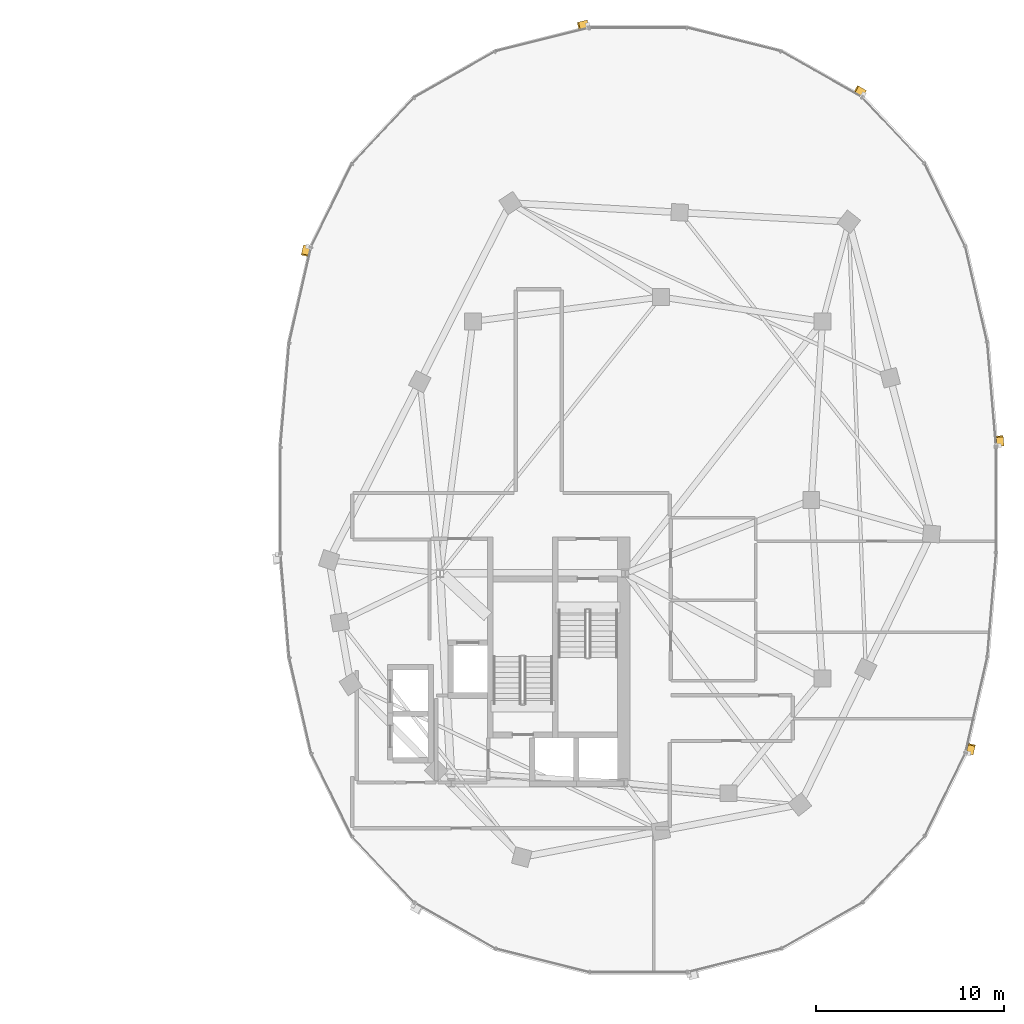
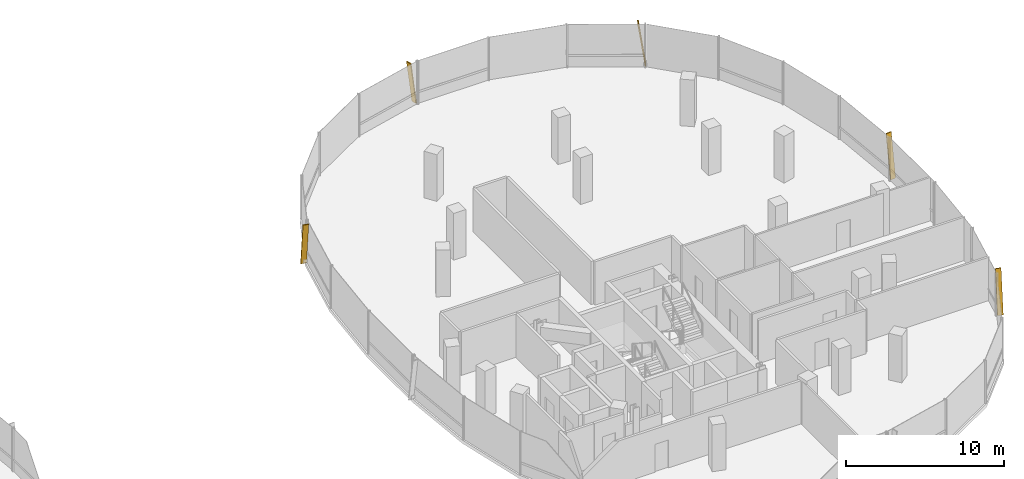
# One storey, part 25 of 25: 5 shading devices.
"""IFC4 building model written with IfcOpenShell, lengths in metres."""

from ifc_helpers import new_model, si_unit, direction, frame, origin, origin_2d, place, context, subcontext, project, spatial, rectangle, extrude, material, material_profile, profile_set, type_object, element, save


model = new_model("IFC4")

# Units and contexts
model_context = context("Model", 3, precision=1e-05, world=origin(), true_north=direction((0.0, 1.0)))
body_context = subcontext(model_context, "Body", "Model", "MODEL_VIEW")
ifc_project = project(units=[si_unit("LENGTHUNIT", "METRE"), si_unit("AREAUNIT", "SQUARE_METRE"), si_unit("VOLUMEUNIT", "CUBIC_METRE"), si_unit("PLANEANGLEUNIT", "RADIAN"), si_unit("MASSUNIT", "GRAM", prefix="KILO"), si_unit("THERMODYNAMICTEMPERATUREUNIT", "KELVIN"), si_unit("POWERUNIT", "WATT")], contexts=[model_context])

# Site, building, storey
site_placement = place(None, origin())
site = spatial("IfcSite", under=ifc_project, at=site_placement, CompositionType="ELEMENT")
building_placement = place(site_placement, origin())
building = spatial("IfcBuilding", under=site, at=building_placement, Name="Cundina Bronze Exchange", CompositionType="ELEMENT")
storey_placement = place(building_placement, frame((0.0, 0.0, 199.0)))
storey = spatial("IfcBuildingStorey", under=building, at=storey_placement, Name="L52", CompositionType="ELEMENT", Elevation=199.0)

# Shading devices
ifc_material = material(Name="Anodised Bronze Aluminium 6063-T6", Category="aluminium")
ifc_material_profile = material_profile(ifc_material, rectangle(XDim=0.070068359375, YDim=0.3798828125, at=origin_2d()), Name="FIN70X380", Category="aluminium")
ifc_profile_set = profile_set([ifc_material_profile], Name="Anodised Bronze Aluminium 6063-T6")
shading_device_type = type_object("IfcShadingDeviceType", Name="SHD-FIN-BRZ380", PredefinedType="USERDEFINED", material=ifc_profile_set)
for number, where, z_axis, x_axis, name in (
    (1, (51.264404296875, 2.90283203125, 0.02001953125), (-0.012006555776, 0.143419772964, 0.98958911238), (0.082555834947, -0.986139516224, 0.143921466983), "L52 Diagonal Bronze Solar Fin 1"),
    (2, (44.015625, 21.635498046875, 0.02001953125), (-0.125189514072, 0.071087145125, 0.989582843103), (0.860526986551, -0.488638423358, 0.143964567292), "L52 Diagonal Bronze Solar Fin 5"),
    (3, (29.294189453125, 25.344482421875, 0.02001953125), (-0.139611891367, -0.03514090606, 0.989582556693), (0.959650042543, 0.24154799183, 0.143966536007), "L52 Diagonal Bronze Solar Fin 1"),
    (4, (14.363037109375, 13.4931640625, 0.02001953125), (-0.032139238682, -0.140343782583, 0.989581068951), (0.220899412839, 0.964610875656, 0.14397676192), "L52 Diagonal Bronze Solar Fin 5"),
    (5, (49.636962890625, -13.4931640625, 0.02001953125), (0.032139238682, 0.140343782583, 0.989581068951), (-0.220899412839, -0.964610875656, 0.14397676192), "L52 Diagonal Bronze Solar Fin 5"),
):
    element("IfcShadingDevice", number, at=place(storey_placement, frame(where, z_axis=z_axis, x_axis=x_axis)), inside=storey, type_object=shading_device_type, Name=name, ObjectType="FIN", PredefinedType="USERDEFINED", context=body_context, shape_type="SweptSolid", body=[
        extrude(rectangle(XDim=0.070068359375, YDim=0.3798828125, at=origin_2d()), origin(), (0.0, 0.0, 1.0), 3.334716796875),
    ])

save(model, "model.ifc")
